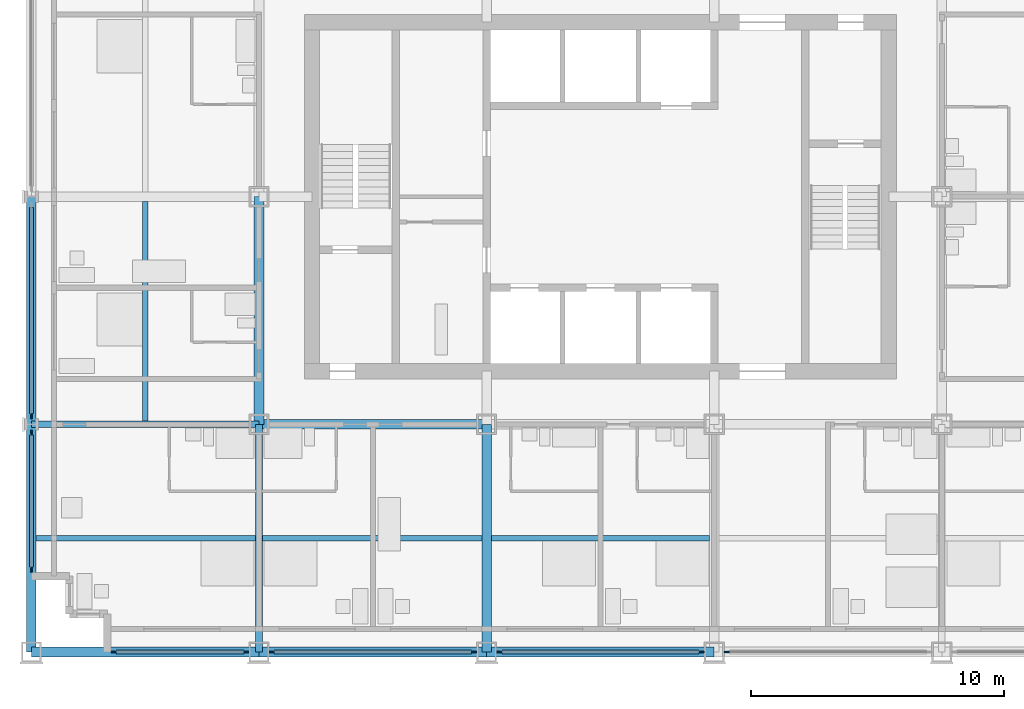
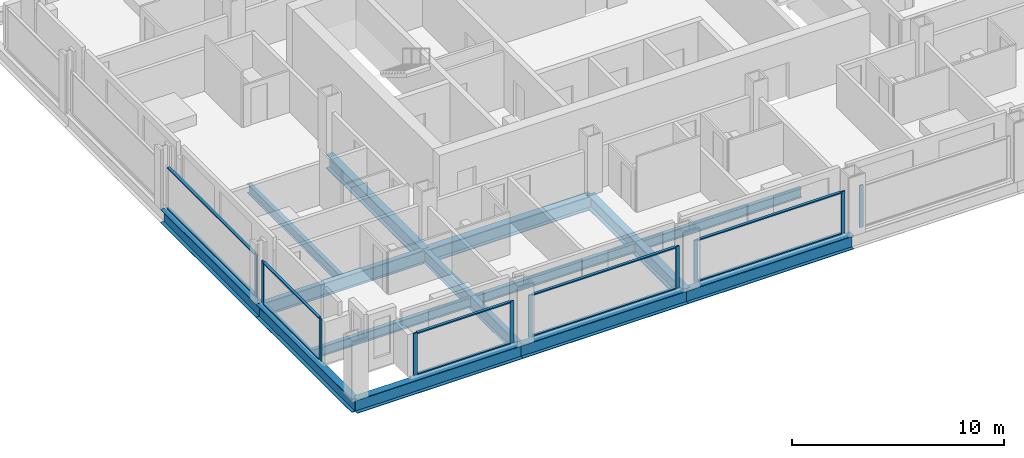
# One storey, part 2 of 16: 20 members, 14 beams, 6 elements without a shape of their own.
"""IFC4 building model written with IfcOpenShell, lengths in metres."""

from ifc_helpers import new_model, si_unit, direction, frame, origin, origin_2d, place, context, subcontext, project, spatial, rectangle, i_section, extrude, material, material_profile, profile_set, type_object, element, aggregate, save


model = new_model("IFC4")

# Units and contexts
model_context = context("Model", 3, precision=1e-05, world=origin(), true_north=direction((0.0, 1.0)))
body_context = subcontext(model_context, "Body", "Model", "MODEL_VIEW")
ifc_project = project(units=[si_unit("LENGTHUNIT", "METRE"), si_unit("AREAUNIT", "SQUARE_METRE"), si_unit("VOLUMEUNIT", "CUBIC_METRE"), si_unit("PLANEANGLEUNIT", "RADIAN"), si_unit("MASSUNIT", "GRAM", prefix="KILO")], contexts=[model_context])

# Site, building, storey
site_placement = place(None, origin())
site = spatial("IfcSite", under=ifc_project, at=site_placement, CompositionType="ELEMENT")
building_placement = place(site_placement, origin())
building = spatial("IfcBuilding", under=site, at=building_placement, Name="Loomwork Tower", CompositionType="ELEMENT")
storey_placement = place(building_placement, frame((0.0, 0.0, 101.0)))
storey = spatial("IfcBuildingStorey", under=building, at=storey_placement, Name="L26", CompositionType="ELEMENT", Elevation=101.0)

# Beams
ifc_material_1 = material(Name="Steel ASTM A992", Category="steel")
ifc_material_profile_1 = material_profile(ifc_material_1, i_section(OverallWidth=0.383544921875, OverallDepth=0.794921875, WebThickness=0.02099609375, FlangeThickness=0.0380859375, at=origin_2d()), Name="W30x235")
ifc_profile_set_1 = profile_set([ifc_material_profile_1], Name="Steel ASTM A992")
beam_type_1 = type_object("IfcBeamType", Name="CORE FLANK GIRDER W30x235", PredefinedType="BEAM", material=ifc_profile_set_1)
for number, where, z_axis, x_axis, name in (
    (1, (9.0, 9.0, -0.597412109375), (1.0, 0.0, 0.0), (0.0, 1.0, 0.0), "Core Flank Girder E/3-E/4 L26"),
    (2, (9.0, 9.0, -0.597412109375), (0.0, 1.0, 0.0), (-1.0, 0.0, 0.0), "Core Flank Girder E/3-F/3 L26"),
    (3, (18.0, 0.0, -0.597412109375), (0.0, 1.0, 0.0), (-1.0, 0.0, 0.0), "Core Flank Girder D/4-E/4 L26"),
):
    element("IfcBeam", number, at=place(storey_placement, frame(where, z_axis=z_axis, x_axis=x_axis)), inside=storey, type_object=beam_type_1, Name=name, PredefinedType="BEAM", context=body_context, shape_type="SweptSolid", body=[
        extrude(i_section(OverallWidth=0.383544921875, OverallDepth=0.794921875, WebThickness=0.02099609375, FlangeThickness=0.0380859375, at=origin_2d()), origin(), (0.0, 0.0, 1.0), 9.0),
    ])
ifc_material_2 = material(Name="Steel ASTM A992", Category="steel")
ifc_material_profile_2 = material_profile(ifc_material_2, i_section(OverallWidth=0.2666015625, OverallDepth=0.761962890625, WebThickness=0.014404296875, FlangeThickness=0.021484375, at=origin_2d()), Name="W30x116")
ifc_profile_set_2 = profile_set([ifc_material_profile_2], Name="Steel ASTM A992")
beam_type_2 = type_object("IfcBeamType", Name="FLOOR GIRDER W30x116", PredefinedType="BEAM", material=ifc_profile_set_2)
for number, where, z_axis, x_axis, name in (
    (4, (0.0, 9.0, -0.5810546875), (1.0, 0.0, 0.0), (0.0, 1.0, 0.0), "Floor Girder E/2-E/3 L26"),
    (5, (9.0, 0.0, -0.5810546875), (0.0, 1.0, 0.0), (-1.0, 0.0, 0.0), "Floor Girder D/3-E/3 L26"),
):
    element("IfcBeam", number, at=place(storey_placement, frame(where, z_axis=z_axis, x_axis=x_axis)), inside=storey, type_object=beam_type_2, Name=name, PredefinedType="BEAM", context=body_context, shape_type="SweptSolid", body=[
        extrude(i_section(OverallWidth=0.2666015625, OverallDepth=0.761962890625, WebThickness=0.014404296875, FlangeThickness=0.021484375, at=origin_2d()), origin(), (0.0, 0.0, 1.0), 9.0),
    ])
ifc_material_3 = material(Name="Steel ASTM A992", Category="steel")
ifc_material_profile_3 = material_profile(ifc_material_3, i_section(OverallWidth=0.2109375, OverallDepth=0.53857421875, WebThickness=0.011474609375, FlangeThickness=0.018798828125, at=origin_2d()), Name="W21x73")
ifc_profile_set_3 = profile_set([ifc_material_profile_3], Name="Steel ASTM A992")
beam_type_3 = type_object("IfcBeamType", Name="FLOOR JOIST W21x73", PredefinedType="JOIST", material=ifc_profile_set_3)
beam_1_placement = place(storey_placement, frame((0.18994140625, 4.5, -0.46923828125), z_axis=(1.0, 0.0, 0.0), x_axis=(0.0, 1.0, 0.0)))
element("IfcBeam", 6, at=beam_1_placement, inside=storey, type_object=beam_type_3, Name="Floor Joist 0.000,4.500-9.000,4.500 L26", PredefinedType="JOIST", context=body_context, shape_type="SweptSolid", body=[
    extrude(i_section(OverallWidth=0.2109375, OverallDepth=0.53857421875, WebThickness=0.011474609375, FlangeThickness=0.018798828125, at=origin_2d()), origin(), (0.0, 0.0, 1.0), 8.677001953125),
])
for number, where, z_axis, x_axis, name in (
    (7, (4.5, 9.133056640625, -0.46923828125), (0.0, 1.0, 0.0), (-1.0, 0.0, 0.0), "Floor Joist 4.500,9.000-4.500,18.000 L26"),
    (8, (9.133056640625, 4.5, -0.46923828125), (1.0, 0.0, 0.0), (0.0, 1.0, 0.0), "Floor Joist 9.000,4.500-18.000,4.500 L26"),
):
    element("IfcBeam", number, at=place(storey_placement, frame(where, z_axis=z_axis, x_axis=x_axis)), inside=storey, type_object=beam_type_3, Name=name, PredefinedType="JOIST", context=body_context, shape_type="SweptSolid", body=[
        extrude(i_section(OverallWidth=0.2109375, OverallDepth=0.53857421875, WebThickness=0.011474609375, FlangeThickness=0.018798828125, at=origin_2d()), origin(), (0.0, 0.0, 1.0), 8.676025390625),
    ])
beam_2_placement = place(storey_placement, frame((18.19091796875, 4.5, -0.46923828125), z_axis=(1.0, 0.0, 0.0), x_axis=(0.0, 1.0, 0.0)))
element("IfcBeam", 9, at=beam_2_placement, inside=storey, type_object=beam_type_3, Name="Floor Joist 18.000,4.500-27.000,4.500 L26", PredefinedType="JOIST", context=body_context, shape_type="SweptSolid", body=[
    extrude(i_section(OverallWidth=0.2109375, OverallDepth=0.53857421875, WebThickness=0.011474609375, FlangeThickness=0.018798828125, at=origin_2d()), origin(), (0.0, 0.0, 1.0), 8.6181640625),
])

# Curtain wall, members
ifc_material_4 = material(Name="Aluminium curtain wall frame", Category="aluminium")
curtain_wall_type = type_object("IfcCurtainWallType", Name="Outer skin glazing hotel", PredefinedType="NOTDEFINED", material=ifc_material_4)
curtain_wall_1_placement = place(storey_placement, origin())
curtain_wall_1 = element("IfcCurtainWall", 10, at=curtain_wall_1_placement, inside=storey, type_object=curtain_wall_type, Name="Outer skin glazing hotel cw/S-0", PredefinedType="NOTDEFINED")
ifc_material_5 = material(Name="Aluminium curtain wall frame", Category="aluminium")
ifc_material_profile_4 = material_profile(ifc_material_5, rectangle(XDim=0.06494140625, YDim=0.199951171875, at=origin_2d()), Name="AL 65x200")
ifc_profile_set_4 = profile_set([ifc_material_profile_4], Name="Aluminium curtain wall frame")
member_type_1 = type_object("IfcMemberType", Name="Outer skin glazing hotel mullion", PredefinedType="MULLION", material=ifc_profile_set_4)
member_1_placement = place(storey_placement, frame((3.25, 0.0, 0.0), z_axis=(0.0, 0.0, 1.0), x_axis=(0.0, 1.0, 0.0)))
member_1 = element("IfcMember", 11, at=member_1_placement, type_object=member_type_1, Name="CW1 mullion 1", PredefinedType="MULLION", context=body_context, shape_type="SweptSolid", body=[
    extrude(rectangle(XDim=0.06494140625, YDim=0.199951171875, at=origin_2d()), origin(), (0.0, 0.0, 1.0), 2.420166015625),
])
member_2_placement = place(storey_placement, frame((8.5, 0.0, 0.0), z_axis=(0.0, 0.0, 1.0), x_axis=(0.0, 1.0, 0.0)))
member_2 = element("IfcMember", 12, at=member_2_placement, type_object=member_type_1, Name="CW1 mullion 2", PredefinedType="MULLION", context=body_context, shape_type="SweptSolid", body=[
    extrude(rectangle(XDim=0.06494140625, YDim=0.199951171875, at=origin_2d()), origin(), (0.0, 0.0, 1.0), 2.420166015625),
])

curtain_wall_2_placement = place(storey_placement, origin())
curtain_wall_2 = element("IfcCurtainWall", 13, at=curtain_wall_2_placement, inside=storey, type_object=curtain_wall_type, Name="Outer skin glazing hotel cw/S-9", PredefinedType="NOTDEFINED")
member_3_placement = place(storey_placement, frame((9.5, 0.0, 0.0), z_axis=(0.0, 0.0, 1.0), x_axis=(0.0, 1.0, 0.0)))
member_3 = element("IfcMember", 14, at=member_3_placement, type_object=member_type_1, Name="CW1 mullion 1", PredefinedType="MULLION", context=body_context, shape_type="SweptSolid", body=[
    extrude(rectangle(XDim=0.06494140625, YDim=0.199951171875, at=origin_2d()), origin(), (0.0, 0.0, 1.0), 2.420166015625),
])
member_4_placement = place(storey_placement, frame((17.5, 0.0, 0.0), z_axis=(0.0, 0.0, 1.0), x_axis=(0.0, 1.0, 0.0)))
member_4 = element("IfcMember", 15, at=member_4_placement, type_object=member_type_1, Name="CW1 mullion 2", PredefinedType="MULLION", context=body_context, shape_type="SweptSolid", body=[
    extrude(rectangle(XDim=0.06494140625, YDim=0.199951171875, at=origin_2d()), origin(), (0.0, 0.0, 1.0), 2.420166015625),
])

curtain_wall_3_placement = place(storey_placement, origin())
curtain_wall_3 = element("IfcCurtainWall", 16, at=curtain_wall_3_placement, inside=storey, type_object=curtain_wall_type, Name="Outer skin glazing hotel cw/S-18", PredefinedType="NOTDEFINED")
member_5_placement = place(storey_placement, frame((18.5, 0.0, 0.0), z_axis=(0.0, 0.0, 1.0), x_axis=(0.0, 1.0, 0.0)))
member_5 = element("IfcMember", 17, at=member_5_placement, type_object=member_type_1, Name="CW1 mullion 1", PredefinedType="MULLION", context=body_context, shape_type="SweptSolid", body=[
    extrude(rectangle(XDim=0.06494140625, YDim=0.199951171875, at=origin_2d()), origin(), (0.0, 0.0, 1.0), 2.420166015625),
])
member_6_placement = place(storey_placement, frame((26.5, 0.0, 0.0), z_axis=(0.0, 0.0, 1.0), x_axis=(0.0, 1.0, 0.0)))
member_6 = element("IfcMember", 18, at=member_6_placement, type_object=member_type_1, Name="CW1 mullion 2", PredefinedType="MULLION", context=body_context, shape_type="SweptSolid", body=[
    extrude(rectangle(XDim=0.06494140625, YDim=0.199951171875, at=origin_2d()), origin(), (0.0, 0.0, 1.0), 2.420166015625),
])

# Curtain wall, member
curtain_wall_4_placement = place(storey_placement, origin())
curtain_wall_4 = element("IfcCurtainWall", 19, at=curtain_wall_4_placement, inside=storey, type_object=curtain_wall_type, Name="Outer skin glazing hotel cw/S-27", PredefinedType="NOTDEFINED")
member_7_placement = place(storey_placement, frame((27.5, 0.0, 0.0), z_axis=(0.0, 0.0, 1.0), x_axis=(0.0, 1.0, 0.0)))
member_7 = element("IfcMember", 20, at=member_7_placement, type_object=member_type_1, Name="CW1 mullion 1", PredefinedType="MULLION", context=body_context, shape_type="SweptSolid", body=[
    extrude(rectangle(XDim=0.06494140625, YDim=0.199951171875, at=origin_2d()), origin(), (0.0, 0.0, 1.0), 2.420166015625),
])
aggregate(curtain_wall_4, [member_7])

# Curtain wall, members
curtain_wall_5_placement = place(storey_placement, origin())
curtain_wall_5 = element("IfcCurtainWall", 21, at=curtain_wall_5_placement, inside=storey, type_object=curtain_wall_type, Name="Outer skin glazing hotel cw/W-0", PredefinedType="NOTDEFINED")
member_8_placement = place(storey_placement, frame((0.0, 8.67529296875, 0.0), z_axis=(0.0, 0.0, 1.0), x_axis=(1.0, 0.0, 0.0)))
member_8 = element("IfcMember", 22, at=member_8_placement, type_object=member_type_1, Name="CW1 mullion 1", PredefinedType="MULLION", context=body_context, shape_type="SweptSolid", body=[
    extrude(rectangle(XDim=0.06494140625, YDim=0.199951171875, at=origin_2d()), origin(), (0.0, 0.0, 1.0), 2.420166015625),
])
member_9_placement = place(storey_placement, frame((0.0, 3.25, 0.0), z_axis=(0.0, 0.0, 1.0), x_axis=(1.0, 0.0, 0.0)))
member_9 = element("IfcMember", 23, at=member_9_placement, type_object=member_type_1, Name="CW1 mullion 2", PredefinedType="MULLION", context=body_context, shape_type="SweptSolid", body=[
    extrude(rectangle(XDim=0.06494140625, YDim=0.199951171875, at=origin_2d()), origin(), (0.0, 0.0, 1.0), 2.420166015625),
])

# Curtain wall, member
curtain_wall_6_placement = place(storey_placement, origin())
curtain_wall_6 = element("IfcCurtainWall", 24, at=curtain_wall_6_placement, inside=storey, type_object=curtain_wall_type, Name="Outer skin glazing hotel cw/W-9", PredefinedType="NOTDEFINED")
member_10_placement = place(storey_placement, frame((0.0, 9.32470703125, 0.0), z_axis=(0.0, 0.0, 1.0), x_axis=(1.0, 0.0, 0.0)))
member_10 = element("IfcMember", 25, at=member_10_placement, type_object=member_type_1, Name="CW1 mullion 2", PredefinedType="MULLION", context=body_context, shape_type="SweptSolid", body=[
    extrude(rectangle(XDim=0.06494140625, YDim=0.199951171875, at=origin_2d()), origin(), (0.0, 0.0, 1.0), 2.420166015625),
])

# Member
ifc_material_6 = material(Name="Aluminium curtain wall frame", Category="aluminium")
ifc_material_profile_5 = material_profile(ifc_material_6, rectangle(XDim=0.14990234375, YDim=0.06494140625, at=origin_2d()), Name="AL 65x150")
ifc_profile_set_5 = profile_set([ifc_material_profile_5], Name="Aluminium curtain wall frame")
member_type_2 = type_object("IfcMemberType", Name="Outer skin glazing hotel transom", PredefinedType="USERDEFINED", material=ifc_profile_set_5)
member_11_placement = place(storey_placement, frame((3.35009765625, 0.0, 0.032470703125), z_axis=(1.0, 0.0, 0.0), x_axis=(0.0, 1.0, 0.0)))
member_11 = element("IfcMember", 26, at=member_11_placement, type_object=member_type_2, Name="CW1 transom 1.1", ObjectType="TRANSOM", PredefinedType="USERDEFINED", context=body_context, shape_type="SweptSolid", body=[
    extrude(rectangle(XDim=0.14990234375, YDim=0.06494140625, at=origin_2d()), origin(), (0.0, 0.0, 1.0), 5.0498046875),
])

member_12_placement = place(storey_placement, frame((3.35009765625, 0.0, 2.3876953125), z_axis=(1.0, 0.0, 0.0), x_axis=(0.0, 1.0, 0.0)))
member_12 = element("IfcMember", 27, at=member_12_placement, type_object=member_type_2, Name="CW1 transom 1.2", ObjectType="TRANSOM", PredefinedType="USERDEFINED", context=body_context, shape_type="SweptSolid", body=[
    extrude(rectangle(XDim=0.14990234375, YDim=0.06494140625, at=origin_2d()), origin(), (0.0, 0.0, 1.0), 5.0498046875),
])

aggregate(curtain_wall_1, [member_1, member_2, member_11, member_12])

member_13_placement = place(storey_placement, frame((9.60009765625, 0.0, 0.032470703125), z_axis=(1.0, 0.0, 0.0), x_axis=(0.0, 1.0, 0.0)))
member_13 = element("IfcMember", 28, at=member_13_placement, type_object=member_type_2, Name="CW1 transom 1.1", ObjectType="TRANSOM", PredefinedType="USERDEFINED", context=body_context, shape_type="SweptSolid", body=[
    extrude(rectangle(XDim=0.14990234375, YDim=0.06494140625, at=origin_2d()), origin(), (0.0, 0.0, 1.0), 7.7998046875),
])

member_14_placement = place(storey_placement, frame((9.60009765625, 0.0, 2.3876953125), z_axis=(1.0, 0.0, 0.0), x_axis=(0.0, 1.0, 0.0)))
member_14 = element("IfcMember", 29, at=member_14_placement, type_object=member_type_2, Name="CW1 transom 1.2", ObjectType="TRANSOM", PredefinedType="USERDEFINED", context=body_context, shape_type="SweptSolid", body=[
    extrude(rectangle(XDim=0.14990234375, YDim=0.06494140625, at=origin_2d()), origin(), (0.0, 0.0, 1.0), 7.7998046875),
])

aggregate(curtain_wall_2, [member_3, member_4, member_13, member_14])

member_15_placement = place(storey_placement, frame((18.60009765625, 0.0, 0.032470703125), z_axis=(1.0, 0.0, 0.0), x_axis=(0.0, 1.0, 0.0)))
member_15 = element("IfcMember", 30, at=member_15_placement, type_object=member_type_2, Name="CW1 transom 1.1", ObjectType="TRANSOM", PredefinedType="USERDEFINED", context=body_context, shape_type="SweptSolid", body=[
    extrude(rectangle(XDim=0.14990234375, YDim=0.06494140625, at=origin_2d()), origin(), (0.0, 0.0, 1.0), 7.7998046875),
])

member_16_placement = place(storey_placement, frame((18.60009765625, 0.0, 2.3876953125), z_axis=(1.0, 0.0, 0.0), x_axis=(0.0, 1.0, 0.0)))
member_16 = element("IfcMember", 31, at=member_16_placement, type_object=member_type_2, Name="CW1 transom 1.2", ObjectType="TRANSOM", PredefinedType="USERDEFINED", context=body_context, shape_type="SweptSolid", body=[
    extrude(rectangle(XDim=0.14990234375, YDim=0.06494140625, at=origin_2d()), origin(), (0.0, 0.0, 1.0), 7.7998046875),
])

aggregate(curtain_wall_3, [member_5, member_6, member_15, member_16])

member_17_placement = place(storey_placement, frame((0.0, 8.5751953125, 0.032470703125), z_axis=(0.0, -1.0, 0.0), x_axis=(1.0, 0.0, 0.0)))
member_17 = element("IfcMember", 32, at=member_17_placement, type_object=member_type_2, Name="CW1 transom 1.1", ObjectType="TRANSOM", PredefinedType="USERDEFINED", context=body_context, shape_type="SweptSolid", body=[
    extrude(rectangle(XDim=0.14990234375, YDim=0.06494140625, at=origin_2d()), origin(), (0.0, 0.0, 1.0), 5.22509765625),
])

member_18_placement = place(storey_placement, frame((0.0, 8.5751953125, 2.3876953125), z_axis=(0.0, -1.0, 0.0), x_axis=(1.0, 0.0, 0.0)))
member_18 = element("IfcMember", 33, at=member_18_placement, type_object=member_type_2, Name="CW1 transom 1.2", ObjectType="TRANSOM", PredefinedType="USERDEFINED", context=body_context, shape_type="SweptSolid", body=[
    extrude(rectangle(XDim=0.14990234375, YDim=0.06494140625, at=origin_2d()), origin(), (0.0, 0.0, 1.0), 5.22509765625),
])

aggregate(curtain_wall_5, [member_8, member_9, member_17, member_18])

member_19_placement = place(storey_placement, frame((0.0, 17.5751953125, 0.032470703125), z_axis=(0.0, -1.0, 0.0), x_axis=(1.0, 0.0, 0.0)))
member_19 = element("IfcMember", 34, at=member_19_placement, type_object=member_type_2, Name="CW1 transom 1.1", ObjectType="TRANSOM", PredefinedType="USERDEFINED", context=body_context, shape_type="SweptSolid", body=[
    extrude(rectangle(XDim=0.14990234375, YDim=0.06494140625, at=origin_2d()), origin(), (0.0, 0.0, 1.0), 8.150390625),
])

member_20_placement = place(storey_placement, frame((0.0, 17.5751953125, 2.3876953125), z_axis=(0.0, -1.0, 0.0), x_axis=(1.0, 0.0, 0.0)))
member_20 = element("IfcMember", 35, at=member_20_placement, type_object=member_type_2, Name="CW1 transom 1.2", ObjectType="TRANSOM", PredefinedType="USERDEFINED", context=body_context, shape_type="SweptSolid", body=[
    extrude(rectangle(XDim=0.14990234375, YDim=0.06494140625, at=origin_2d()), origin(), (0.0, 0.0, 1.0), 8.150390625),
])

aggregate(curtain_wall_6, [member_10, member_19, member_20])

# Beams
ifc_material_7 = material(Name="Steel ASTM A992", Category="steel")
ifc_material_profile_6 = material_profile(ifc_material_7, i_section(OverallWidth=0.381103515625, OverallDepth=0.77978515625, WebThickness=0.01806640625, FlangeThickness=0.0302734375, at=origin_2d()), Name="W30x191")
ifc_profile_set_6 = profile_set([ifc_material_profile_6], Name="Steel ASTM A992")
beam_type_4 = type_object("IfcBeamType", Name="SPANDREL GIRDER W30x191", PredefinedType="SPANDREL", material=ifc_profile_set_6)
for number, where, z_axis, x_axis, name in (
    (36, (0.0, 0.0, -0.58984375), (1.0, 0.0, 0.0), (0.0, 1.0, 0.0), "Spandrel Girder D/2-D/3 L26"),
    (37, (9.0, 0.0, -0.58984375), (1.0, 0.0, 0.0), (0.0, 1.0, 0.0), "Spandrel Girder D/3-D/4 L26"),
    (38, (18.0, 0.0, -0.58984375), (1.0, 0.0, 0.0), (0.0, 1.0, 0.0), "Spandrel Girder D/4-D/5 L26"),
    (39, (0.0, 0.0, -0.58984375), (0.0, 1.0, 0.0), (-1.0, 0.0, 0.0), "Spandrel Girder D/2-E/2 L26"),
    (40, (0.0, 9.0, -0.58984375), (0.0, 1.0, 0.0), (-1.0, 0.0, 0.0), "Spandrel Girder E/2-F/2 L26"),
):
    element("IfcBeam", number, at=place(storey_placement, frame(where, z_axis=z_axis, x_axis=x_axis)), inside=storey, type_object=beam_type_4, Name=name, PredefinedType="SPANDREL", context=body_context, shape_type="SweptSolid", body=[
        extrude(i_section(OverallWidth=0.381103515625, OverallDepth=0.77978515625, WebThickness=0.01806640625, FlangeThickness=0.0302734375, at=origin_2d()), origin(), (0.0, 0.0, 1.0), 9.0),
    ])

save(model, "model.ifc")
